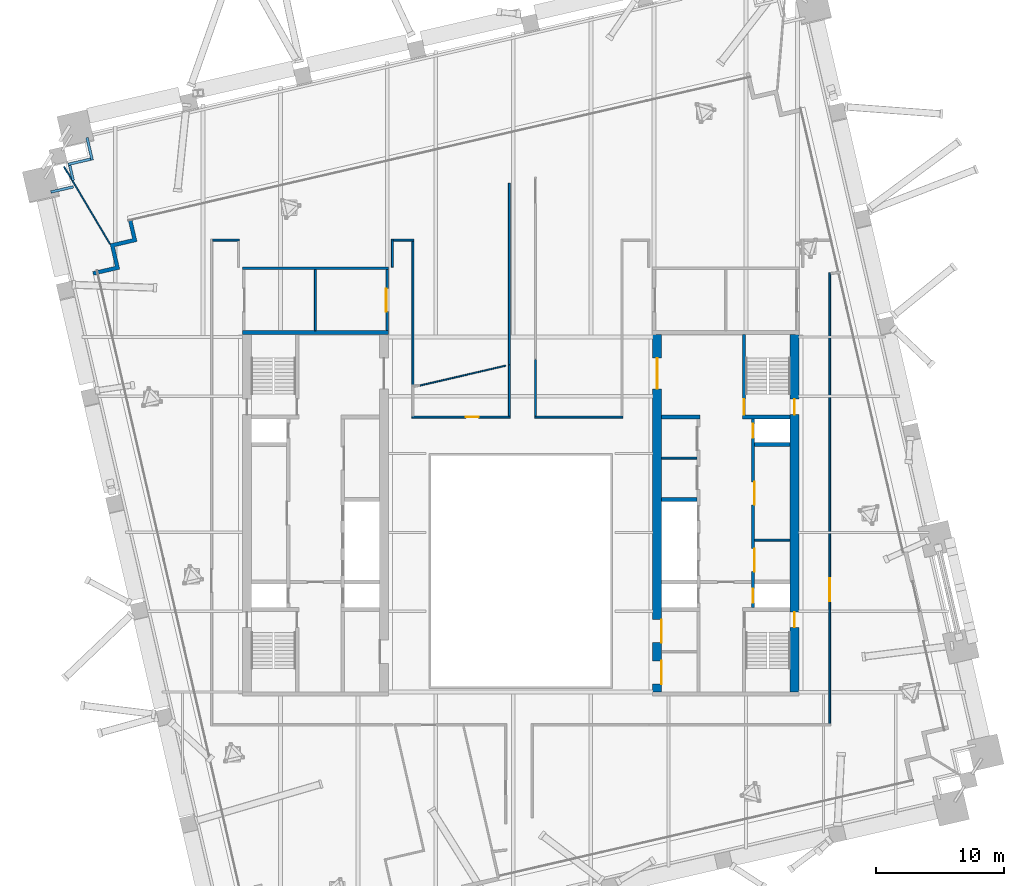
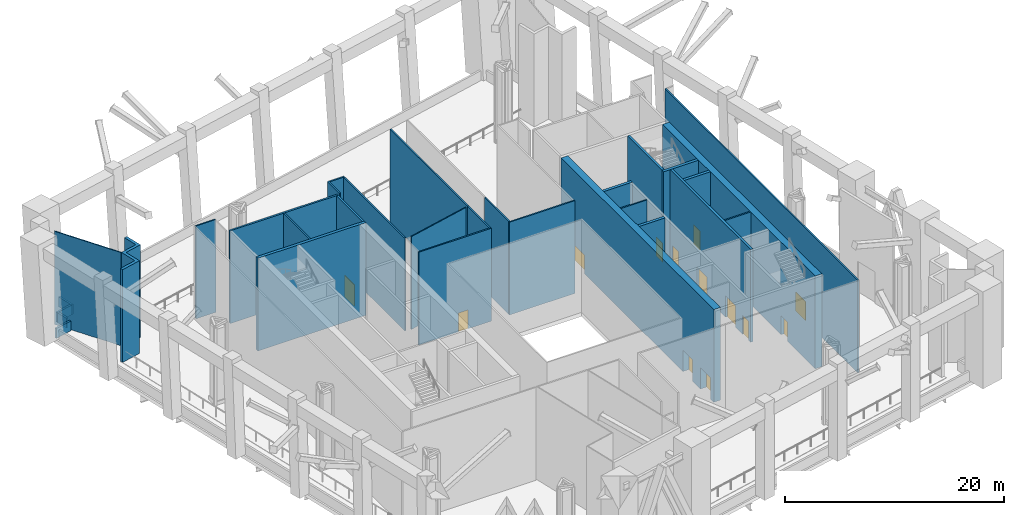
# One storey, part 18 of 25: 31 walls, 13 doors, 13 openings.
"""IFC4 building model written with IfcOpenShell, lengths in metres."""

from ifc_helpers import new_model, si_unit, direction, frame, frame_2d, origin, place, context, subcontext, project, spatial, polyline, rectangle, outline, extrude, material, layer, layer_set, type_object, element, fill, save


model = new_model("IFC4")

# Units and contexts
model_context = context("Model", 3, precision=1e-05, world=origin(), true_north=direction((0.0, 1.0)))
body_context = subcontext(model_context, "Body", "Model", "MODEL_VIEW")
ifc_project = project(units=[si_unit("LENGTHUNIT", "METRE"), si_unit("AREAUNIT", "SQUARE_METRE"), si_unit("VOLUMEUNIT", "CUBIC_METRE"), si_unit("PLANEANGLEUNIT", "RADIAN"), si_unit("MASSUNIT", "GRAM", prefix="KILO")], contexts=[model_context])

# Site, building, storey
site_placement = place(None, origin())
site = spatial("IfcSite", under=ifc_project, at=site_placement, CompositionType="ELEMENT")
building_placement = place(site_placement, origin())
building = spatial("IfcBuilding", under=site, at=building_placement, Name="Ogive Exchange Tower", CompositionType="ELEMENT")
storey_placement = place(building_placement, frame((0.0, 0.0, 226.199951171875)))
storey = spatial("IfcBuildingStorey", under=building, at=storey_placement, Name="L50", CompositionType="ELEMENT", Elevation=226.199951171875)

# Walls
ifc_material_1 = material(Name="Gypsum board partition")
ifc_layer_1 = layer(ifc_material_1, 0.14990234375)
ifc_layer_set_1 = layer_set([ifc_layer_1], Name="Core room partition 150 gypsum")
wall_type_1 = type_object("IfcWallType", Name="Core room partition 150 gypsum", PredefinedType="PARTITIONING", material=ifc_layer_set_1)
wall_1_placement = place(storey_placement, frame((-16.0, 25.75, 0.0), z_axis=(0.0, 0.0, 1.0), x_axis=(0.0, 1.0, 0.0)))
element("IfcWall", 1, at=wall_1_placement, inside=storey, type_object=wall_type_1, Name="W annex N column wall", PredefinedType="PARTITIONING", context=body_context, shape_type="SweptSolid", body=[
    extrude(rectangle(XDim=4.75, YDim=0.14990234375, at=frame_2d((2.375, 0.0))), origin(), (0.0, 0.0, 1.0), 10.35009765625),
])
for number, where, z_axis, x_axis, name in (
    (2, (18.25, 9.39990234375, 0.0), (0.0, 0.0, 1.0), (1.0, 0.0, 0.0), "E row A bay partition 1-1"),
    (3, (11.0, 15.800048828125, 0.0), (0.0, 0.0, 1.0), (1.0, 0.0, 0.0), "E row B bay partition 4-1"),
):
    element("IfcWall", number, at=place(storey_placement, frame(where, z_axis=z_axis, x_axis=x_axis)), inside=storey, type_object=wall_type_1, Name=name, PredefinedType="PARTITIONING", context=body_context, shape_type="SweptSolid", body=[
        extrude(rectangle(XDim=2.75, YDim=0.14990234375, at=frame_2d((1.375, 0.0))), origin(), (0.0, 0.0, 1.0), 10.35009765625),
    ])
ifc_layer_2 = layer(ifc_material_1, 0.300048828125)
ifc_layer_set_2 = layer_set([ifc_layer_2], Name="Core room partition 300 gypsum")
wall_type_2 = type_object("IfcWallType", Name="Core room partition 300 gypsum", PredefinedType="PARTITIONING", material=ifc_layer_set_2)
wall_2_placement = place(storey_placement, frame((11.0, 19.0, 0.0), z_axis=(0.0, 0.0, 1.0), x_axis=(1.0, 0.0, 0.0)))
element("IfcWall", 4, at=wall_2_placement, inside=storey, type_object=wall_type_2, Name="E row B room end wall 7", PredefinedType="PARTITIONING", context=body_context, shape_type="SweptSolid", body=[
    extrude(rectangle(XDim=3.0, YDim=0.300048828125, at=frame_2d((1.5, 0.0))), origin(), (0.0, 0.0, 1.0), 10.35009765625),
])
ifc_material_2 = material(Name="Fire partition EI 60 150")
ifc_layer_3 = layer(ifc_material_2, 0.14990234375)
ifc_layer_set_3 = layer_set([ifc_layer_3], Name="Fire partition EI 60 150")
wall_type_3 = type_object("IfcWallType", Name="Fire partition EI 60 150", PredefinedType="PARTITIONING", material=ifc_layer_set_3)
wall_3_placement = place(storey_placement, frame((-24.02490234375, 32.800048828125, 0.0), z_axis=(0.0, 0.0, 1.0), x_axis=(1.0, 0.0, 0.0)))
element("IfcWall", 5, at=wall_3_placement, inside=storey, type_object=wall_type_3, Name="L50-PWL-002", PredefinedType="PARTITIONING", context=body_context, shape_type="SweptSolid", body=[
    extrude(rectangle(XDim=2.099853515625, YDim=0.14990234375, at=frame_2d((1.0498046875, 0.0))), origin(), (0.0, 0.0, 1.0), 10.35009765625),
])
wall_4_placement = place(storey_placement, frame((-10.0, 30.699951171875, 0.0), z_axis=(0.0, 0.0, 1.0), x_axis=(0.0, 1.0, 0.0)))
element("IfcWall", 6, at=wall_4_placement, inside=storey, type_object=wall_type_3, Name="L50-PWL-007", PredefinedType="PARTITIONING", context=body_context, shape_type="SweptSolid", body=[
    extrude(rectangle(XDim=2.175048828125, YDim=0.14990234375, at=frame_2d((1.08740234375, 0.0))), origin(), (0.0, 0.0, 1.0), 10.35009765625),
])
wall_5_placement = place(storey_placement, frame((-9.925048828125, 32.800048828125, 0.0), z_axis=(0.0, 0.0, 1.0), x_axis=(1.0, 0.0, 0.0)))
element("IfcWall", 7, at=wall_5_placement, inside=storey, type_object=wall_type_3, Name="L50-PWL-008", PredefinedType="PARTITIONING", context=body_context, shape_type="SweptSolid", body=[
    extrude(rectangle(XDim=1.60009765625, YDim=0.14990234375, at=frame_2d((0.800048828125, 0.0))), origin(), (0.0, 0.0, 1.0), 10.35009765625),
])

# Wall, opening, door
wall_6_placement = place(storey_placement, frame((-8.47509765625, 19.0, 0.0), z_axis=(0.0, 0.0, 1.0), x_axis=(1.0, 0.0, 0.0)))
wall_6 = element("IfcWall", 8, at=wall_6_placement, inside=storey, type_object=wall_type_3, Name="L50-PWL-010", PredefinedType="PARTITIONING", context=body_context, shape_type="SweptSolid", body=[
    extrude(rectangle(XDim=7.670166015625, YDim=0.14990234375, at=frame_2d((3.8349609375, 0.0))), origin(), (0.0, 0.0, 1.0), 10.35009765625),
])
opening_1_placement = place(wall_6_placement, frame((4.195068359375, 0.0, 0.0)))
opening_1 = element("IfcOpeningElement", 9, at=opening_1_placement, cuts=wall_6, Name="Opening L50-I06", PredefinedType="OPENING", context=body_context, shape_type="SweptSolid", body=[
    extrude(rectangle(XDim=1.0, YDim=2.10009765625, at=frame_2d((0.5, 1.050048828125))), frame((0.0, 0.0849609375, 0.0), z_axis=(0.0, -1.0, 0.0), x_axis=(1.0, 0.0, 0.0)), (0.0, 0.0, 1.0), 0.169921875),
])
ifc_material_3 = material(Name="Fire door FD 30S 1000 x 2100")
door_type_1 = type_object("IfcDoorType", Name="Fire door FD 30S 1000 x 2100", OperationType="NOTDEFINED", PredefinedType="DOOR", material=ifc_material_3)
door_1_placement = place(opening_1_placement, origin())
door_1 = element("IfcDoor", 10, at=door_1_placement, inside=storey, type_object=door_type_1, Name="L50-IDR-006", ObjectType="DT3", OperationType="SINGLE_SWING_LEFT", OverallHeight=2.10009765625, OverallWidth=1.0, PredefinedType="DOOR", context=body_context, shape_type="SweptSolid", body=[
    extrude(rectangle(XDim=1.0, YDim=2.10009765625, at=frame_2d((0.5, 1.050048828125))), frame((0.0, 0.02490234375, 0.0), z_axis=(0.0, -1.0, 0.0), x_axis=(1.0, 0.0, 0.0)), (0.0, 0.0, 1.0), 0.050048828125),
])
fill(opening_1, door_1)

# Walls
wall_7_placement = place(storey_placement, frame((-8.39990234375, 32.72509765625, 0.0), z_axis=(0.0, 0.0, 1.0), x_axis=(0.0, -1.0, 0.0)))
element("IfcWall", 11, at=wall_7_placement, inside=storey, type_object=wall_type_3, Name="L50-PWL-013", PredefinedType="PARTITIONING", context=body_context, shape_type="SweptSolid", body=[
    extrude(rectangle(XDim=11.215087890625, YDim=0.14990234375, at=frame_2d((5.607421875, 0.0))), origin(), (0.0, 0.0, 1.0), 10.35009765625),
])
wall_8_placement = place(storey_placement, frame((-0.8798828125, 19.074951171875, 0.0), z_axis=(0.0, 0.0, 1.0), x_axis=(0.0, 1.0, 0.0)))
element("IfcWall", 12, at=wall_8_placement, inside=storey, type_object=wall_type_3, Name="L50-PWL-022", PredefinedType="PARTITIONING", context=body_context, shape_type="SweptSolid", body=[
    extrude(rectangle(XDim=4.005126953125, YDim=0.14990234375, at=frame_2d((2.00244140625, 0.0))), origin(), (0.0, 0.0, 1.0), 10.35009765625),
])
wall_9_placement = place(storey_placement, frame((-0.8798828125, 23.080078125, 0.0), z_axis=(0.0, 0.0, 1.0), x_axis=(0.0, 1.0, 0.0)))
element("IfcWall", 13, at=wall_9_placement, inside=storey, type_object=wall_type_3, Name="L50-PWL-023", PredefinedType="PARTITIONING", context=body_context, shape_type="SweptSolid", body=[
    extrude(rectangle(XDim=14.1611328125, YDim=0.14990234375, at=frame_2d((7.08056640625, 0.0))), origin(), (0.0, 0.0, 1.0), 10.35009765625),
])
wall_10_placement = place(storey_placement, frame((1.0849609375, 19.0, 0.0), z_axis=(0.0, 0.0, 1.0), x_axis=(1.0, 0.0, 0.0)))
element("IfcWall", 14, at=wall_10_placement, inside=storey, type_object=wall_type_3, Name="L50-PWL-025", PredefinedType="PARTITIONING", context=body_context, shape_type="SweptSolid", body=[
    extrude(rectangle(XDim=6.89013671875, YDim=0.14990234375, at=frame_2d((3.445068359375, 0.0))), origin(), (0.0, 0.0, 1.0), 10.35009765625),
])
wall_11_placement = place(storey_placement, frame((1.159912109375, 23.489990234375, 0.0), z_axis=(0.0, 0.0, 1.0), x_axis=(0.0, -1.0, 0.0)))
element("IfcWall", 15, at=wall_11_placement, inside=storey, type_object=wall_type_3, Name="L50-PWL-026", PredefinedType="PARTITIONING", context=body_context, shape_type="SweptSolid", body=[
    extrude(rectangle(XDim=4.4150390625, YDim=0.14990234375, at=frame_2d((2.20751953125, 0.0))), origin(), (0.0, 0.0, 1.0), 10.35009765625),
])

# Wall, opening, door
wall_12_placement = place(storey_placement, frame((24.10009765625, 30.264892578125, 0.0), z_axis=(0.0, 0.0, 1.0), x_axis=(0.0, -1.0, 0.0)))
wall_12 = element("IfcWall", 16, at=wall_12_placement, inside=storey, type_object=wall_type_3, Name="L50-PWL-035", PredefinedType="PARTITIONING", context=body_context, shape_type="SweptSolid", body=[
    extrude(rectangle(XDim=35.18994140625, YDim=0.14990234375, at=frame_2d((17.594970703125, 0.0))), origin(), (0.0, 0.0, 1.0), 10.35009765625),
])
opening_2_placement = place(wall_12_placement, frame((23.81494140625, 0.0, 0.0)))
opening_2 = element("IfcOpeningElement", 17, at=opening_2_placement, cuts=wall_12, Name="Opening L50-I01", PredefinedType="OPENING", context=body_context, shape_type="SweptSolid", body=[
    extrude(rectangle(XDim=1.800048828125, YDim=2.10009765625, at=frame_2d((0.89990234375, 1.050048828125))), frame((0.0, 0.0849609375, 0.0), z_axis=(0.0, -1.0, 0.0), x_axis=(1.0, 0.0, 0.0)), (0.0, 0.0, 1.0), 0.169921875),
])
ifc_material_4 = material(Name="Fire door FD 30S 1800 x 2100")
door_type_2 = type_object("IfcDoorType", Name="Fire door FD 30S 1800 x 2100", OperationType="DOUBLE_DOOR_SINGLE_SWING", PredefinedType="DOOR", material=ifc_material_4)
door_2_placement = place(opening_2_placement, origin())
door_2 = element("IfcDoor", 18, at=door_2_placement, inside=storey, type_object=door_type_2, Name="L50-IDR-001", ObjectType="DT4", OperationType="SINGLE_SWING_RIGHT", OverallHeight=2.10009765625, OverallWidth=1.800048828125, PredefinedType="DOOR", context=body_context, shape_type="SweptSolid", body=[
    extrude(rectangle(XDim=1.800048828125, YDim=2.10009765625, at=frame_2d((0.89990234375, 1.050048828125))), frame((0.0, 0.02490234375, 0.0), z_axis=(0.0, -1.0, 0.0), x_axis=(1.0, 0.0, 0.0)), (0.0, 0.0, 1.0), 0.050048828125),
])
fill(opening_2, door_2)

# Walls
ifc_material_5 = material(Name="Precast concrete C40/50", Category="concrete")
ifc_layer_4 = layer(ifc_material_5, 0.300048828125)
ifc_layer_set_4 = layer_set([ifc_layer_4], Name="Limestone-faced wall 300")
wall_type_4 = type_object("IfcWallType", Name="Limestone-faced wall 300", PredefinedType="STANDARD", material=ifc_layer_set_4)
wall_13_placement = place(storey_placement, origin())
element("IfcWall", 19, at=wall_13_placement, inside=storey, type_object=wall_type_4, Name="External corner wall C3", PredefinedType="STANDARD", context=body_context, shape_type="SweptSolid", body=[
    extrude(outline(polyline([(-31.616943359375, 30.755615234375), (-32.02197265625, 32.509521484375), (-30.26806640625, 32.914306640625), (-30.60546875, 34.3759765625), (-30.31298828125, 34.443359375), (-29.908203125, 32.689697265625), (-31.662109375, 32.28466796875), (-31.257080078125, 30.53076171875), (-33.30322265625, 30.058349609375), (-33.370849609375, 30.3505859375), (-31.616943359375, 30.755615234375)])), origin(), (0.0, 0.0, 1.0), 10.35009765625),
])
ifc_material_6 = material(Name="Laminated safety glass in steel frame", Category="steel")
ifc_layer_5 = layer(ifc_material_6, 0.10009765625)
ifc_layer_set_5 = layer_set([ifc_layer_5], Name="Loggia end screen 100")
wall_type_5 = type_object("IfcWallType", Name="Loggia end screen 100", PredefinedType="STANDARD", material=ifc_layer_set_5)
wall_14_placement = place(storey_placement, frame((-32.02197265625, 32.509521484375, -0.050048828125), z_axis=(0.0, 0.0, 1.0), x_axis=(-0.51145564932, 0.859309675716, 0.0)))
element("IfcWall", 20, at=wall_14_placement, inside=storey, type_object=wall_type_5, Name="Loggia end screen C3", PredefinedType="STANDARD", context=body_context, shape_type="SweptSolid", body=[
    extrude(rectangle(XDim=6.998779296875, YDim=0.10009765625, at=frame_2d((3.49951171875, 0.0))), origin(), (0.0, 0.0, 1.0), 10.400146484375),
])
ifc_material_7 = material(Name="Partition 100 gypsum")
ifc_layer_6 = layer(ifc_material_7, 0.10009765625)
ifc_layer_set_6 = layer_set([ifc_layer_6], Name="Partition 100 gypsum")
wall_type_6 = type_object("IfcWallType", Name="Partition 100 gypsum", PredefinedType="PARTITIONING", material=ifc_layer_set_6)
wall_15_placement = place(storey_placement, frame((-1.159912109375, 23.010009765625, 0.0), z_axis=(0.0, 0.0, 1.0), x_axis=(-0.974232791095, -0.225544826486, 0.0)))
element("IfcWall", 21, at=wall_15_placement, inside=storey, type_object=wall_type_6, Name="L50-PWL-021", PredefinedType="PARTITIONING", context=body_context, shape_type="SweptSolid", body=[
    extrude(rectangle(XDim=6.8681640625, YDim=0.10009765625, at=frame_2d((3.43408203125, 0.0))), origin(), (0.0, 0.0, 1.0), 10.35009765625),
])
ifc_layer_7 = layer(ifc_material_5, 0.199951171875)
ifc_layer_set_7 = layer_set([ifc_layer_7], Name="Plant deck parapet 200")
wall_type_7 = type_object("IfcWallType", Name="Plant deck parapet 200", PredefinedType="STANDARD", material=ifc_layer_set_7)
for number, where, z_axis, x_axis, name in (
    (22, (-33.810791015625, 40.791748046875, -0.050048828125), (0.0, 0.0, 1.0), (0.224879318197, -0.974386623598, 0.0), "Plant deck parapet 12"),
    (23, (-33.52587890625, 39.11279296875, -0.050048828125), (0.0, 0.0, 1.0), (-0.974386623598, -0.224879318197, 0.0), "Plant deck parapet 13"),
):
    element("IfcWall", number, at=place(storey_placement, frame(where, z_axis=z_axis, x_axis=x_axis)), inside=storey, type_object=wall_type_7, Name=name, PredefinedType="STANDARD", context=body_context, shape_type="SweptSolid", body=[
        extrude(rectangle(XDim=1.800048828125, YDim=0.199951171875, at=frame_2d((0.89990234375, 0.0))), origin(), (0.0, 0.0, 1.0), 1.10009765625),
    ])
wall_16_placement = place(storey_placement, frame((-35.159912109375, 38.633056640625, -0.050048828125), z_axis=(0.0, 0.0, 1.0), x_axis=(0.22509434981, -0.974336971321, 0.0)))
element("IfcWall", 24, at=wall_16_placement, inside=storey, type_object=wall_type_7, Name="Plant deck parapet 14", PredefinedType="STANDARD", context=body_context, shape_type="SweptSolid", body=[
    extrude(rectangle(XDim=1.21484375, YDim=0.199951171875, at=frame_2d((0.607421875, 0.0))), origin(), (0.0, 0.0, 1.0), 1.10009765625),
])
wall_17_placement = place(storey_placement, frame((-34.874755859375, 36.9541015625, -0.050048828125), z_axis=(0.0, 0.0, 1.0), x_axis=(-0.974386623598, -0.224879318197, 0.0)))
element("IfcWall", 25, at=wall_17_placement, inside=storey, type_object=wall_type_7, Name="Plant deck parapet 15", PredefinedType="STANDARD", context=body_context, shape_type="SweptSolid", body=[
    extrude(rectangle(XDim=1.800048828125, YDim=0.199951171875, at=frame_2d((0.89990234375, 0.0))), origin(), (0.0, 0.0, 1.0), 1.10009765625),
])

# Wall, opening, door
ifc_material_8 = material(Name="Concrete C70/85", Category="concrete")
ifc_layer_8 = layer(ifc_material_8, 0.199951171875)
ifc_layer_set_8 = layer_set([ifc_layer_8], Name="RC core wall 200 C70/85")
wall_type_8 = type_object("IfcWallType", Name="RC core wall 200 C70/85", PredefinedType="SHEAR", material=ifc_layer_set_8)
wall_18_placement = place(storey_placement, frame((-10.39990234375, 25.75, 0.0), z_axis=(0.0, 0.0, 1.0), x_axis=(0.0, 1.0, 0.0)))
wall_18 = element("IfcWall", 26, at=wall_18_placement, inside=storey, type_object=wall_type_8, Name="W annex N inner wall", PredefinedType="SHEAR", context=body_context, shape_type="SweptSolid", body=[
    extrude(rectangle(XDim=4.75, YDim=0.199951171875, at=frame_2d((2.375, 0.0))), origin(), (0.0, 0.0, 1.0), 10.35009765625),
])
opening_3_placement = place(wall_18_placement, frame((1.47509765625, 0.0, 0.0)))
opening_3 = element("IfcOpeningElement", 27, at=opening_3_placement, cuts=wall_18, Name="Opening L50-C17", PredefinedType="OPENING", context=body_context, shape_type="SweptSolid", body=[
    extrude(rectangle(XDim=1.800048828125, YDim=2.39990234375, at=frame_2d((0.89990234375, 1.199951171875))), frame((0.0, 0.10986328125, 0.0), z_axis=(0.0, -1.0, 0.0), x_axis=(1.0, 0.0, 0.0)), (0.0, 0.0, 1.0), 0.219970703125),
])
ifc_material_9 = material(Name="Steel fire door", Category="steel")
door_type_3 = type_object("IfcDoorType", Name="Plant room door FD60 1800 x 2400", OperationType="DOUBLE_DOOR_SINGLE_SWING", PredefinedType="DOOR", material=ifc_material_9)
door_3_placement = place(opening_3_placement, origin())
door_3 = element("IfcDoor", 28, at=door_3_placement, inside=storey, type_object=door_type_3, Name="Plant room door", ObjectType="CD1", OperationType="DOUBLE_DOOR_SINGLE_SWING", OverallHeight=2.39990234375, OverallWidth=1.800048828125, PredefinedType="DOOR", context=body_context, shape_type="SweptSolid", body=[
    extrude(rectangle(XDim=1.800048828125, YDim=2.39990234375, at=frame_2d((0.89990234375, 1.199951171875))), frame((0.0, 0.10009765625, 0.0), z_axis=(0.0, -1.0, 0.0), x_axis=(1.0, 0.0, 0.0)), (0.0, 0.0, 1.0), 0.050048828125),
])
fill(opening_3, door_3)

# Wall
wall_19_placement = place(storey_placement, frame((-21.699951171875, 30.60009765625, 0.0), z_axis=(0.0, 0.0, 1.0), x_axis=(1.0, 0.0, 0.0)))
element("IfcWall", 29, at=wall_19_placement, inside=storey, type_object=wall_type_8, Name="W annex N end wall", PredefinedType="SHEAR", context=body_context, shape_type="SweptSolid", body=[
    extrude(rectangle(XDim=11.39990234375, YDim=0.199951171875, at=frame_2d((5.699951171875, 0.0))), origin(), (0.0, 0.0, 1.0), 10.35009765625),
])

# Wall, opening, door
ifc_layer_9 = layer(ifc_material_8, 0.25)
ifc_layer_set_9 = layer_set([ifc_layer_9], Name="RC core wall 250 C70/85")
wall_type_9 = type_object("IfcWallType", Name="RC core wall 250 C70/85", PredefinedType="SHEAR", material=ifc_layer_set_9)
wall_20_placement = place(storey_placement, frame((17.425048828125, 19.14990234375, 0.0), z_axis=(0.0, 0.0, 1.0), x_axis=(0.0, 1.0, 0.0)))
wall_20 = element("IfcWall", 30, at=wall_20_placement, inside=storey, type_object=wall_type_9, Name="E stair N front wall", PredefinedType="SHEAR", context=body_context, shape_type="SweptSolid", body=[
    extrude(rectangle(XDim=6.300048828125, YDim=0.25, at=frame_2d((3.14990234375, 0.0))), origin(), (0.0, 0.0, 1.0), 10.35009765625),
])
opening_4_placement = place(wall_20_placement, frame((0.050048828125, 0.0, 0.0)))
opening_4 = element("IfcOpeningElement", 31, at=opening_4_placement, cuts=wall_20, Name="Opening L50-C32", PredefinedType="OPENING", context=body_context, shape_type="SweptSolid", body=[
    extrude(rectangle(XDim=1.199951171875, YDim=2.10009765625, at=frame_2d((0.60009765625, 1.050048828125))), frame((0.0, 0.135009765625, 0.0), z_axis=(0.0, -1.0, 0.0), x_axis=(1.0, 0.0, 0.0)), (0.0, 0.0, 1.0), 0.27001953125),
])
door_type_4 = type_object("IfcDoorType", Name="Stair door FD90 1200 x 2100", OperationType="NOTDEFINED", PredefinedType="DOOR", material=ifc_material_9)
door_4_placement = place(opening_4_placement, frame((1.199951171875, 0.0, 0.0), z_axis=(0.0, 0.0, 1.0), x_axis=(-1.0, 0.0, 0.0)))
door_4 = element("IfcDoor", 32, at=door_4_placement, inside=storey, type_object=door_type_4, Name="Stair door", ObjectType="CD5", OperationType="SINGLE_SWING_LEFT", OverallHeight=2.10009765625, OverallWidth=1.199951171875, PredefinedType="DOOR", context=body_context, shape_type="SweptSolid", body=[
    extrude(rectangle(XDim=1.199951171875, YDim=2.10009765625, at=frame_2d((0.60009765625, 1.050048828125))), frame((0.0, 0.02490234375, 0.0), z_axis=(0.0, -1.0, 0.0), x_axis=(1.0, 0.0, 0.0)), (0.0, 0.0, 1.0), 0.050048828125),
])
fill(opening_4, door_4)

# Wall, openings, doors
wall_21_placement = place(storey_placement, frame((18.125, 4.14990234375, 0.0), z_axis=(0.0, 0.0, 1.0), x_axis=(0.0, 1.0, 0.0)))
wall_21 = element("IfcWall", 33, at=wall_21_placement, inside=storey, type_object=wall_type_9, Name="E row A front wall", PredefinedType="SHEAR", context=body_context, shape_type="SweptSolid", body=[
    extrude(rectangle(XDim=14.7001953125, YDim=0.25, at=frame_2d((7.35009765625, 0.0))), origin(), (0.0, 0.0, 1.0), 10.35009765625),
])
opening_5_placement = place(wall_21_placement, frame((2.79638671875, 0.0, 0.0)))
opening_5 = element("IfcOpeningElement", 34, at=opening_5_placement, cuts=wall_21, Name="Opening L50-C18", PredefinedType="OPENING", context=body_context, shape_type="SweptSolid", body=[
    extrude(rectangle(XDim=1.800048828125, YDim=2.39990234375, at=frame_2d((0.89990234375, 1.199951171875))), frame((0.0, 0.135009765625, 0.0), z_axis=(0.0, -1.0, 0.0), x_axis=(1.0, 0.0, 0.0)), (0.0, 0.0, 1.0), 0.27001953125),
])
opening_6_placement = place(wall_21_placement, frame((8.003662109375, 0.0, 0.0)))
opening_6 = element("IfcOpeningElement", 35, at=opening_6_placement, cuts=wall_21, Name="Opening L50-C19", PredefinedType="OPENING", context=body_context, shape_type="SweptSolid", body=[
    extrude(rectangle(XDim=1.800048828125, YDim=2.39990234375, at=frame_2d((0.89990234375, 1.199951171875))), frame((0.0, 0.135009765625, 0.0), z_axis=(0.0, -1.0, 0.0), x_axis=(1.0, 0.0, 0.0)), (0.0, 0.0, 1.0), 0.27001953125),
])
opening_7_placement = place(wall_21_placement, frame((0.371337890625, 0.0, 0.0)))
opening_7 = element("IfcOpeningElement", 36, at=opening_7_placement, cuts=wall_21, Name="Opening L50-C20", PredefinedType="OPENING", context=body_context, shape_type="SweptSolid", body=[
    extrude(rectangle(XDim=1.10009765625, YDim=2.10009765625, at=frame_2d((0.550048828125, 1.050048828125))), frame((0.0, 0.135009765625, 0.0), z_axis=(0.0, -1.0, 0.0), x_axis=(1.0, 0.0, 0.0)), (0.0, 0.0, 1.0), 0.27001953125),
])
opening_8_placement = place(wall_21_placement, frame((13.228515625, 0.0, 0.0)))
opening_8 = element("IfcOpeningElement", 37, at=opening_8_placement, cuts=wall_21, Name="Opening L50-C21", PredefinedType="OPENING", context=body_context, shape_type="SweptSolid", body=[
    extrude(rectangle(XDim=1.10009765625, YDim=2.10009765625, at=frame_2d((0.550048828125, 1.050048828125))), frame((0.0, 0.135009765625, 0.0), z_axis=(0.0, -1.0, 0.0), x_axis=(1.0, 0.0, 0.0)), (0.0, 0.0, 1.0), 0.27001953125),
])
ifc_material_10 = material(Name="Stainless steel", Category="steel")
door_type_5 = type_object("IfcDoorType", Name="Lift landing door FD90 1100 x 2100", OperationType="SLIDING_TO_LEFT", PredefinedType="DOOR", material=ifc_material_10)
door_5_placement = place(opening_7_placement, origin())
door_5 = element("IfcDoor", 38, at=door_5_placement, inside=storey, type_object=door_type_5, Name="Lift landing door FF2", ObjectType="LD", OperationType="SLIDING_TO_LEFT", OverallHeight=2.10009765625, OverallWidth=1.10009765625, PredefinedType="DOOR", context=body_context, shape_type="SweptSolid", body=[
    extrude(rectangle(XDim=1.10009765625, YDim=2.10009765625, at=frame_2d((0.550048828125, 1.050048828125))), frame((0.0, 0.02490234375, 0.0), z_axis=(0.0, -1.0, 0.0), x_axis=(1.0, 0.0, 0.0)), (0.0, 0.0, 1.0), 0.050048828125),
])
fill(opening_7, door_5)
door_6_placement = place(opening_8_placement, origin())
door_6 = element("IfcDoor", 39, at=door_6_placement, inside=storey, type_object=door_type_5, Name="Lift landing door E-SH2", ObjectType="LD", OperationType="SLIDING_TO_LEFT", OverallHeight=2.10009765625, OverallWidth=1.10009765625, PredefinedType="DOOR", context=body_context, shape_type="SweptSolid", body=[
    extrude(rectangle(XDim=1.10009765625, YDim=2.10009765625, at=frame_2d((0.550048828125, 1.050048828125))), frame((0.0, 0.02490234375, 0.0), z_axis=(0.0, -1.0, 0.0), x_axis=(1.0, 0.0, 0.0)), (0.0, 0.0, 1.0), 0.050048828125),
])
fill(opening_8, door_6)
door_7_placement = place(opening_5_placement, frame((1.800048828125, -0.2001953125, 0.0), z_axis=(0.0, 0.0, 1.0), x_axis=(-1.0, 0.0, 0.0)))
door_7 = element("IfcDoor", 40, at=door_7_placement, inside=storey, type_object=door_type_3, Name="Plant room door", ObjectType="CD1", OperationType="DOUBLE_DOOR_SINGLE_SWING", OverallHeight=2.39990234375, OverallWidth=1.800048828125, PredefinedType="DOOR", context=body_context, shape_type="SweptSolid", body=[
    extrude(rectangle(XDim=1.800048828125, YDim=2.39990234375, at=frame_2d((0.89990234375, 1.199951171875))), frame((0.0, -0.0751953125, 0.0), z_axis=(0.0, -1.0, 0.0), x_axis=(1.0, 0.0, 0.0)), (0.0, 0.0, 1.0), 0.050048828125),
])
fill(opening_5, door_7)
door_8_placement = place(opening_6_placement, frame((1.800048828125, -0.2001953125, 0.0), z_axis=(0.0, 0.0, 1.0), x_axis=(-1.0, 0.0, 0.0)))
door_8 = element("IfcDoor", 41, at=door_8_placement, inside=storey, type_object=door_type_3, Name="Plant room door", ObjectType="CD1", OperationType="DOUBLE_DOOR_SINGLE_SWING", OverallHeight=2.39990234375, OverallWidth=1.800048828125, PredefinedType="DOOR", context=body_context, shape_type="SweptSolid", body=[
    extrude(rectangle(XDim=1.800048828125, YDim=2.39990234375, at=frame_2d((0.89990234375, 1.199951171875))), frame((0.0, -0.0751953125, 0.0), z_axis=(0.0, -1.0, 0.0), x_axis=(1.0, 0.0, 0.0)), (0.0, 0.0, 1.0), 0.050048828125),
])
fill(opening_6, door_8)

# Walls
ifc_layer_10 = layer(ifc_material_8, 0.300048828125)
ifc_layer_set_10 = layer_set([ifc_layer_10], Name="RC core wall 300 C70/85")
wall_type_10 = type_object("IfcWallType", Name="RC core wall 300 C70/85", PredefinedType="SHEAR", material=ifc_layer_set_10)
wall_22_placement = place(storey_placement, frame((-21.699951171875, 25.60009765625, 0.0), z_axis=(0.0, 0.0, 1.0), x_axis=(1.0, 0.0, 0.0)))
element("IfcWall", 42, at=wall_22_placement, inside=storey, type_object=wall_type_10, Name="W north end wall", PredefinedType="SHEAR", context=body_context, shape_type="SweptSolid", body=[
    extrude(rectangle(XDim=11.39990234375, YDim=0.300048828125, at=frame_2d((5.699951171875, 0.0))), origin(), (0.0, 0.0, 1.0), 10.35009765625),
])
wall_23_placement = place(storey_placement, frame((17.300048828125, 19.0, 0.0), z_axis=(0.0, 0.0, 1.0), x_axis=(1.0, 0.0, 0.0)))
element("IfcWall", 43, at=wall_23_placement, inside=storey, type_object=wall_type_10, Name="E stair N south wall", PredefinedType="SHEAR", context=body_context, shape_type="SweptSolid", body=[
    extrude(rectangle(XDim=3.699951171875, YDim=0.300048828125, at=frame_2d((1.85009765625, 0.0))), origin(), (0.0, 0.0, 1.0), 10.35009765625),
])
for number, where, z_axis, x_axis, name in (
    (44, (18.25, 16.857177734375, 0.0), (0.0, 0.0, 1.0), (1.0, 0.0, 0.0), "E row A divider 6"),
    (45, (11.0, 12.5712890625, 0.0), (0.0, 0.0, 1.0), (1.0, 0.0, 0.0), "E row B divider 4"),
):
    element("IfcWall", number, at=place(storey_placement, frame(where, z_axis=z_axis, x_axis=x_axis)), inside=storey, type_object=wall_type_10, Name=name, PredefinedType="SHEAR", context=body_context, shape_type="SweptSolid", body=[
        extrude(rectangle(XDim=2.75, YDim=0.300048828125, at=frame_2d((1.375, 0.0))), origin(), (0.0, 0.0, 1.0), 10.35009765625),
    ])

# Wall, openings, doors
ifc_layer_11 = layer(ifc_material_8, 0.699951171875)
ifc_layer_set_11 = layer_set([ifc_layer_11], Name="RC core wall 700 C70/85")
wall_type_11 = type_object("IfcWallType", Name="RC core wall 700 C70/85", PredefinedType="SHEAR", material=ifc_layer_set_11)
wall_24_placement = place(storey_placement, frame((21.35009765625, -2.449951171875, 0.0), z_axis=(0.0, 0.0, 1.0), x_axis=(0.0, 1.0, 0.0)))
wall_24 = element("IfcWall", 46, at=wall_24_placement, inside=storey, type_object=wall_type_11, Name="E outer wall", PredefinedType="SHEAR", context=body_context, shape_type="SweptSolid", body=[
    extrude(rectangle(XDim=27.89990234375, YDim=0.699951171875, at=frame_2d((13.949951171875, 0.0))), origin(), (0.0, 0.0, 1.0), 10.35009765625),
])
opening_9_placement = place(wall_24_placement, frame((5.050048828125, 0.0, 0.0)))
opening_9 = element("IfcOpeningElement", 47, at=opening_9_placement, cuts=wall_24, Name="Opening L50-C31", PredefinedType="OPENING", context=body_context, shape_type="SweptSolid", body=[
    extrude(rectangle(XDim=1.199951171875, YDim=2.10009765625, at=frame_2d((0.60009765625, 1.050048828125))), frame((0.0, 0.35986328125, 0.0), z_axis=(0.0, -1.0, 0.0), x_axis=(1.0, 0.0, 0.0)), (0.0, 0.0, 1.0), 0.719970703125),
])
opening_10_placement = place(wall_24_placement, frame((21.64990234375, 0.0, 0.0)))
opening_10 = element("IfcOpeningElement", 48, at=opening_10_placement, cuts=wall_24, Name="Opening L50-C33", PredefinedType="OPENING", context=body_context, shape_type="SweptSolid", body=[
    extrude(rectangle(XDim=1.199951171875, YDim=2.10009765625, at=frame_2d((0.60009765625, 1.050048828125))), frame((0.0, 0.35986328125, 0.0), z_axis=(0.0, -1.0, 0.0), x_axis=(1.0, 0.0, 0.0)), (0.0, 0.0, 1.0), 0.719970703125),
])
door_9_placement = place(opening_9_placement, origin())
door_9 = element("IfcDoor", 49, at=door_9_placement, inside=storey, type_object=door_type_4, Name="Stair door", ObjectType="CD5", OperationType="SINGLE_SWING_LEFT", OverallHeight=2.10009765625, OverallWidth=1.199951171875, PredefinedType="DOOR", context=body_context, shape_type="SweptSolid", body=[
    extrude(rectangle(XDim=1.199951171875, YDim=2.10009765625, at=frame_2d((0.60009765625, 1.050048828125))), frame((0.0, 0.02490234375, 0.0), z_axis=(0.0, -1.0, 0.0), x_axis=(1.0, 0.0, 0.0)), (0.0, 0.0, 1.0), 0.050048828125),
])
fill(opening_9, door_9)
door_10_placement = place(opening_10_placement, origin())
door_10 = element("IfcDoor", 50, at=door_10_placement, inside=storey, type_object=door_type_4, Name="Stair door", ObjectType="CD5", OperationType="SINGLE_SWING_RIGHT", OverallHeight=2.10009765625, OverallWidth=1.199951171875, PredefinedType="DOOR", context=body_context, shape_type="SweptSolid", body=[
    extrude(rectangle(XDim=1.199951171875, YDim=2.10009765625, at=frame_2d((0.60009765625, 1.050048828125))), frame((0.0, 0.02490234375, 0.0), z_axis=(0.0, -1.0, 0.0), x_axis=(1.0, 0.0, 0.0)), (0.0, 0.0, 1.0), 0.050048828125),
])
fill(opening_10, door_10)

wall_25_placement = place(storey_placement, frame((10.64990234375, -2.449951171875, 0.0), z_axis=(0.0, 0.0, 1.0), x_axis=(0.0, 1.0, 0.0)))
wall_25 = element("IfcWall", 51, at=wall_25_placement, inside=storey, type_object=wall_type_11, Name="E inner wall", PredefinedType="SHEAR", context=body_context, shape_type="SweptSolid", body=[
    extrude(rectangle(XDim=27.89990234375, YDim=0.699951171875, at=frame_2d((13.949951171875, 0.0))), origin(), (0.0, 0.0, 1.0), 10.35009765625),
])
opening_11_placement = place(wall_25_placement, frame((23.64990234375, 0.0, 0.0)))
opening_11 = element("IfcOpeningElement", 52, at=opening_11_placement, cuts=wall_25, Name="Opening L50-C29", PredefinedType="OPENING", context=body_context, shape_type="SweptSolid", body=[
    extrude(rectangle(XDim=2.39990234375, YDim=2.10009765625, at=frame_2d((1.199951171875, 1.050048828125))), frame((0.0, 0.35986328125, 0.0), z_axis=(0.0, -1.0, 0.0), x_axis=(1.0, 0.0, 0.0)), (0.0, 0.0, 1.0), 0.719970703125),
])
opening_12_placement = place(wall_25_placement, frame((0.637451171875, 0.0, 0.0)))
opening_12 = element("IfcOpeningElement", 53, at=opening_12_placement, cuts=wall_25, Name="Opening L50-C34", PredefinedType="OPENING", context=body_context, shape_type="SweptSolid", body=[
    extrude(rectangle(XDim=1.800048828125, YDim=2.39990234375, at=frame_2d((0.89990234375, 1.199951171875))), frame((0.0, 0.35986328125, 0.0), z_axis=(0.0, -1.0, 0.0), x_axis=(1.0, 0.0, 0.0)), (0.0, 0.0, 1.0), 0.719970703125),
])
opening_13_placement = place(wall_25_placement, frame((3.862548828125, 0.0, 0.0)))
opening_13 = element("IfcOpeningElement", 54, at=opening_13_placement, cuts=wall_25, Name="Opening L50-C35", PredefinedType="OPENING", context=body_context, shape_type="SweptSolid", body=[
    extrude(rectangle(XDim=1.800048828125, YDim=2.39990234375, at=frame_2d((0.89990234375, 1.199951171875))), frame((0.0, 0.35986328125, 0.0), z_axis=(0.0, -1.0, 0.0), x_axis=(1.0, 0.0, 0.0)), (0.0, 0.0, 1.0), 0.719970703125),
])
ifc_material_11 = material(Name="Glazed steel fire door", Category="steel")
door_type_6 = type_object("IfcDoorType", Name="Lift lobby double door FD60 2400 x 2100", OperationType="DOUBLE_DOOR_SINGLE_SWING", PredefinedType="DOOR", material=ifc_material_11)
door_11_placement = place(opening_11_placement, origin())
door_11 = element("IfcDoor", 55, at=door_11_placement, inside=storey, type_object=door_type_6, Name="Lift lobby double door", ObjectType="CD4", OperationType="DOUBLE_DOOR_SINGLE_SWING", OverallHeight=2.10009765625, OverallWidth=2.39990234375, PredefinedType="DOOR", context=body_context, shape_type="SweptSolid", body=[
    extrude(rectangle(XDim=2.39990234375, YDim=2.10009765625, at=frame_2d((1.199951171875, 1.050048828125))), frame((0.0, 0.02490234375, 0.0), z_axis=(0.0, -1.0, 0.0), x_axis=(1.0, 0.0, 0.0)), (0.0, 0.0, 1.0), 0.050048828125),
])
fill(opening_11, door_11)
door_12_placement = place(opening_12_placement, frame((1.800048828125, -0.64990234375, 0.0), z_axis=(0.0, 0.0, 1.0), x_axis=(-1.0, 0.0, 0.0)))
door_12 = element("IfcDoor", 56, at=door_12_placement, inside=storey, type_object=door_type_3, Name="Plant room door", ObjectType="CD1", OperationType="DOUBLE_DOOR_SINGLE_SWING", OverallHeight=2.39990234375, OverallWidth=1.800048828125, PredefinedType="DOOR", context=body_context, shape_type="SweptSolid", body=[
    extrude(rectangle(XDim=1.800048828125, YDim=2.39990234375, at=frame_2d((0.89990234375, 1.199951171875))), frame((0.0, -0.2998046875, 0.0), z_axis=(0.0, -1.0, 0.0), x_axis=(1.0, 0.0, 0.0)), (0.0, 0.0, 1.0), 0.050048828125),
])
fill(opening_12, door_12)
door_13_placement = place(opening_13_placement, frame((1.800048828125, -0.64990234375, 0.0), z_axis=(0.0, 0.0, 1.0), x_axis=(-1.0, 0.0, 0.0)))
door_13 = element("IfcDoor", 57, at=door_13_placement, inside=storey, type_object=door_type_3, Name="Plant room door", ObjectType="CD1", OperationType="DOUBLE_DOOR_SINGLE_SWING", OverallHeight=2.39990234375, OverallWidth=1.800048828125, PredefinedType="DOOR", context=body_context, shape_type="SweptSolid", body=[
    extrude(rectangle(XDim=1.800048828125, YDim=2.39990234375, at=frame_2d((0.89990234375, 1.199951171875))), frame((0.0, -0.2998046875, 0.0), z_axis=(0.0, -1.0, 0.0), x_axis=(1.0, 0.0, 0.0)), (0.0, 0.0, 1.0), 0.050048828125),
])
fill(opening_13, door_13)

save(model, "model.ifc")
